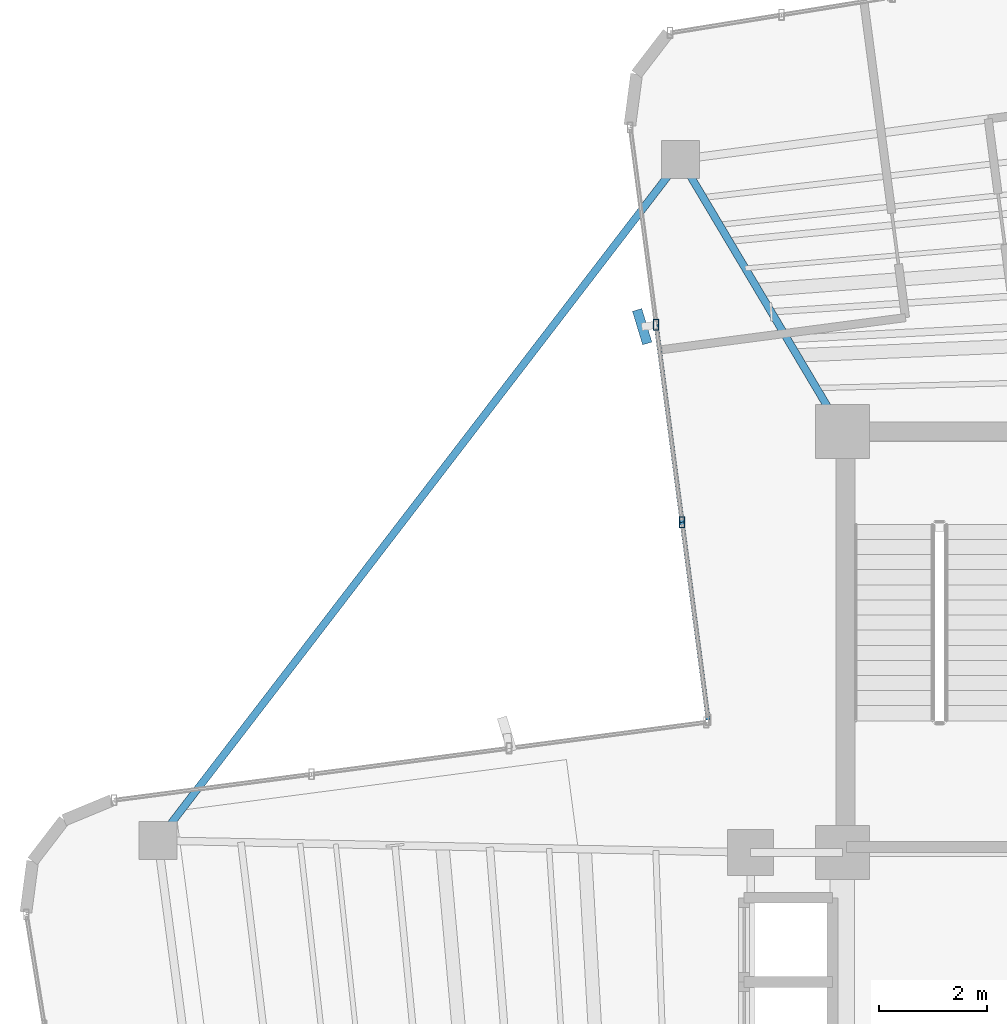
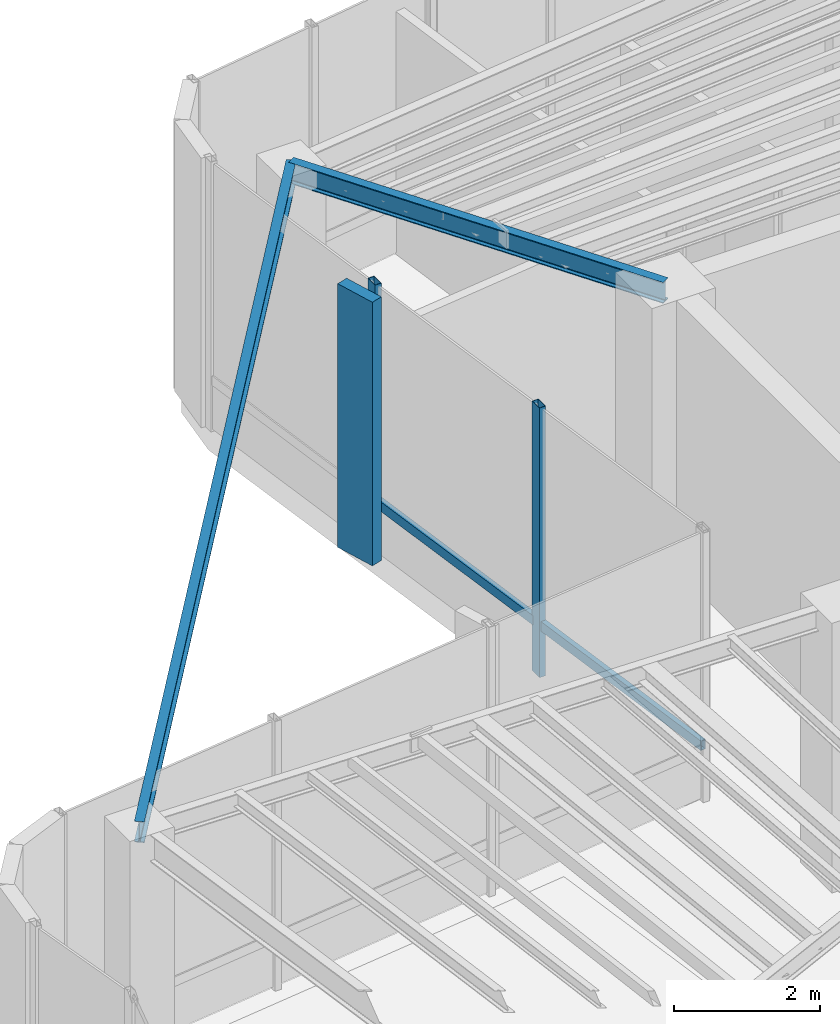
# One storey, part 6 of 16: 5 members, 2 beams, 1 element without a shape of its own.
"""IFC4 building model written with IfcOpenShell, lengths in metres."""

from ifc_helpers import new_model, si_unit, direction, frame, origin, origin_2d, place, context, subcontext, project, spatial, rectangle, hollow_rectangle, i_section, extrude, source, transform, mapped, material, material_profile, profile_set, type_object, element, aggregate, save


model = new_model("IFC4")

# Units and contexts
model_context = context("Model", 3, precision=1e-05, world=origin(), true_north=direction((0.0, 1.0)))
body_context = subcontext(model_context, "Body", "Model", "MODEL_VIEW")
ifc_project = project(units=[si_unit("LENGTHUNIT", "METRE"), si_unit("AREAUNIT", "SQUARE_METRE"), si_unit("VOLUMEUNIT", "CUBIC_METRE"), si_unit("PLANEANGLEUNIT", "RADIAN"), si_unit("MASSUNIT", "GRAM", prefix="KILO")], contexts=[model_context])

# Site, building, storey
site_placement = place(None, origin())
site = spatial("IfcSite", under=ifc_project, at=site_placement, CompositionType="ELEMENT")
building_placement = place(site_placement, origin())
building = spatial("IfcBuilding", under=site, at=building_placement, Name="Sahyath Konkavel Grand Hotel", CompositionType="ELEMENT")
storey_placement = place(building_placement, frame((0.0, 0.0, 280.300048828125)))
storey = spatial("IfcBuildingStorey", under=building, at=storey_placement, Name="L78", CompositionType="ELEMENT", Elevation=280.300048828125)

# Beams
ifc_material_1 = material(Name="Steel E350", Category="steel")
ifc_material_profile_1 = material_profile(ifc_material_1, i_section(OverallWidth=0.139892578125, OverallDepth=0.35009765625, WebThickness=0.008056640625, FlangeThickness=0.01416015625, FilletRadius=0.013916015625, at=origin_2d()), Name="ISMB 350")
ifc_profile_set_1 = profile_set([ifc_material_profile_1], Name="Steel E350")
beam_type = type_object("IfcBeamType", Name="BM-ISMB350", PredefinedType="BEAM", material=ifc_profile_set_1)
shared_shape_1 = source(origin(), body_context, "Body", "SweptSolid", [
    extrude(i_section(OverallWidth=0.139892578125, OverallDepth=0.35009765625, WebThickness=0.008056640625, FlangeThickness=0.01416015625, FilletRadius=0.013916015625, at=origin_2d()), origin(), (0.0, 0.0, 1.0), 5.866943359375),
])
beam_1_placement = place(storey_placement, frame((-3.800048828125, 10.199951171875, 4.324951171875), z_axis=(-0.510966539123, 0.859600602546, 0.0), x_axis=(-0.859600602546, -0.510966539123, 0.0)))
element("IfcBeam", 1, at=beam_1_placement, inside=storey, type_object=beam_type, Name="L78 Cruciform Radial Girder NB", PredefinedType="BEAM", context=body_context, shape_type="MappedRepresentation", body=[
    mapped(shared_shape_1, transform((0.0, 0.0, 0.0), scale=1.0)),
])
shared_shape_2 = source(origin(), body_context, "Body", "SweptSolid", [
    extrude(i_section(OverallWidth=0.139892578125, OverallDepth=0.35009765625, WebThickness=0.008056640625, FlangeThickness=0.01416015625, FilletRadius=0.013916015625, at=origin_2d()), origin(), (0.0, 0.0, 1.0), 15.909912109375),
])
beam_2_placement = place(storey_placement, frame((-6.7978515625, 15.2431640625, 4.324951171875), z_axis=(-0.608755898564, -0.79335758392, 0.0), x_axis=(0.79335758392, -0.608755898564, 0.0)))
element("IfcBeam", 2, at=beam_2_placement, inside=storey, type_object=beam_type, Name="L78 Re-Entrant Tie Beam NW", PredefinedType="BEAM", context=body_context, shape_type="MappedRepresentation", body=[
    mapped(shared_shape_2, transform((0.0, 0.0, 0.0), scale=1.0)),
])

# Curtain wall, members
ifc_material_2 = material(Name="Anodised Bronze Aluminium & Low-E Glazing", Category="aluminium")
curtain_wall_type = type_object("IfcCurtainWallType", Name="CW-CROWN-TMD", PredefinedType="NOTDEFINED", material=ifc_material_2)
curtain_wall_placement = place(storey_placement, origin())
curtain_wall = element("IfcCurtainWall", 3, at=curtain_wall_placement, inside=storey, type_object=curtain_wall_type, Name="L78 Unitised Curtain Wall F15", PredefinedType="NOTDEFINED")
ifc_material_3 = material(Name="Anodised Bronze Aluminium", Category="aluminium")
ifc_material_profile_2 = material_profile(ifc_material_3, hollow_rectangle(XDim=0.10009765625, YDim=0.199951171875, WallThickness=0.008056640625, at=origin_2d()), Name="RHS 200x100x8")
ifc_profile_set_2 = profile_set([ifc_material_profile_2], Name="Anodised Bronze Aluminium")
member_type_1 = type_object("IfcMemberType", Name="CW-MUL-200", PredefinedType="MULLION", material=ifc_profile_set_2)
shared_shape_3 = source(origin(), body_context, "Body", "SweptSolid", [
    extrude(hollow_rectangle(XDim=0.10009765625, YDim=0.199951171875, WallThickness=0.008056640625, at=origin_2d()), origin(), (0.0, 0.0, 1.0), 4.5),
])
member_1_placement = place(storey_placement, frame((-7.25146484375, 12.177734375, 0.0), z_axis=(0.0, 0.0, 1.0), x_axis=(1.0, 0.0, 0.0)))
member_1 = element("IfcMember", 4, at=member_1_placement, type_object=member_type_1, Name="L78 Curtain Wall Mullion F15-1", PredefinedType="MULLION", context=body_context, shape_type="MappedRepresentation", body=[
    mapped(shared_shape_3, transform((0.0, 0.0, 0.0), scale=1.0)),
])
member_2_placement = place(storey_placement, frame((-6.77001953125, 8.519287109375, 0.0), z_axis=(0.0, 0.0, 1.0), x_axis=(1.0, 0.0, 0.0)))
member_2 = element("IfcMember", 5, at=member_2_placement, type_object=member_type_1, Name="L78 Curtain Wall Mullion F15-2", PredefinedType="MULLION", context=body_context, shape_type="MappedRepresentation", body=[
    mapped(shared_shape_3, transform((0.0, 0.0, 0.0), scale=1.0)),
])
ifc_material_4 = material(Name="Warm Buff Sandstone Cladding on Concrete C50/60", Category="masonry")
ifc_material_profile_3 = material_profile(ifc_material_4, rectangle(XDim=0.179931640625, YDim=0.64990234375, at=origin_2d()), Name="FIN 180x650")
ifc_profile_set_3 = profile_set([ifc_material_profile_3], Name="Warm Buff Sandstone Cladding on Concrete C50/60")
member_type_2 = type_object("IfcMemberType", Name="FIN-SANDSTONE-650", PredefinedType="MULLION", material=ifc_profile_set_3)
shared_shape_4 = source(origin(), body_context, "Body", "SweptSolid", [
    extrude(rectangle(XDim=0.179931640625, YDim=0.64990234375, at=origin_2d()), origin(), (0.0, 0.0, 1.0), 4.39990234375),
])
member_3_placement = place(storey_placement, frame((-7.50927734375, 12.143798828125, 0.050048828125), z_axis=(0.0, 0.0, 1.0), x_axis=(0.957117481996, 0.289700061544, 0.0)))
member_3 = element("IfcMember", 6, at=member_3_placement, type_object=member_type_2, Name="L78 Sandstone Vertical Solar Fin FIN F15-1", PredefinedType="MULLION", context=body_context, shape_type="MappedRepresentation", body=[
    mapped(shared_shape_4, transform((0.0, 0.0, 0.0), scale=1.0)),
])
ifc_material_profile_4 = material_profile(ifc_material_3, hollow_rectangle(XDim=0.080078125, YDim=0.159912109375, WallThickness=0.006103515625, at=origin_2d()), Name="RHS 160x80x6")
ifc_profile_set_4 = profile_set([ifc_material_profile_4], Name="Anodised Bronze Aluminium")
member_type_3 = type_object("IfcMemberType", Name="CW-TRN-160", PredefinedType="USERDEFINED", material=ifc_profile_set_4)
shared_shape_5 = source(origin(), body_context, "Body", "SweptSolid", [
    extrude(hollow_rectangle(XDim=0.080078125, YDim=0.159912109375, WallThickness=0.006103515625, at=origin_2d()), origin(), (0.0, 0.0, 1.0), 3.68994140625),
])
member_4_placement = place(storey_placement, frame((-7.25146484375, 12.177734375, 0.849853515625), z_axis=(0.130473339038, -0.991451818194, 0.0), x_axis=(0.991451818194, 0.130473339038, 0.0)))
member_4 = element("IfcMember", 7, at=member_4_placement, type_object=member_type_3, Name="L78 Curtain Wall Transom F15-1-spandrel", ObjectType="TRANSOM", PredefinedType="USERDEFINED", context=body_context, shape_type="MappedRepresentation", body=[
    mapped(shared_shape_5, transform((0.0, 0.0, 0.0), scale=1.0)),
])
member_5_placement = place(storey_placement, frame((-6.77001953125, 8.519287109375, 0.849853515625), z_axis=(0.130603408947, -0.99143469254, 0.0), x_axis=(0.99143469254, 0.130603408947, 0.0)))
member_5 = element("IfcMember", 8, at=member_5_placement, type_object=member_type_3, Name="L78 Curtain Wall Transom F15-2-spandrel", ObjectType="TRANSOM", PredefinedType="USERDEFINED", context=body_context, shape_type="MappedRepresentation", body=[
    mapped(shared_shape_5, transform((0.0, 0.0, 0.0), scale=1.0)),
])
aggregate(curtain_wall, [member_1, member_3, member_2, member_4, member_5])

save(model, "model.ifc")
